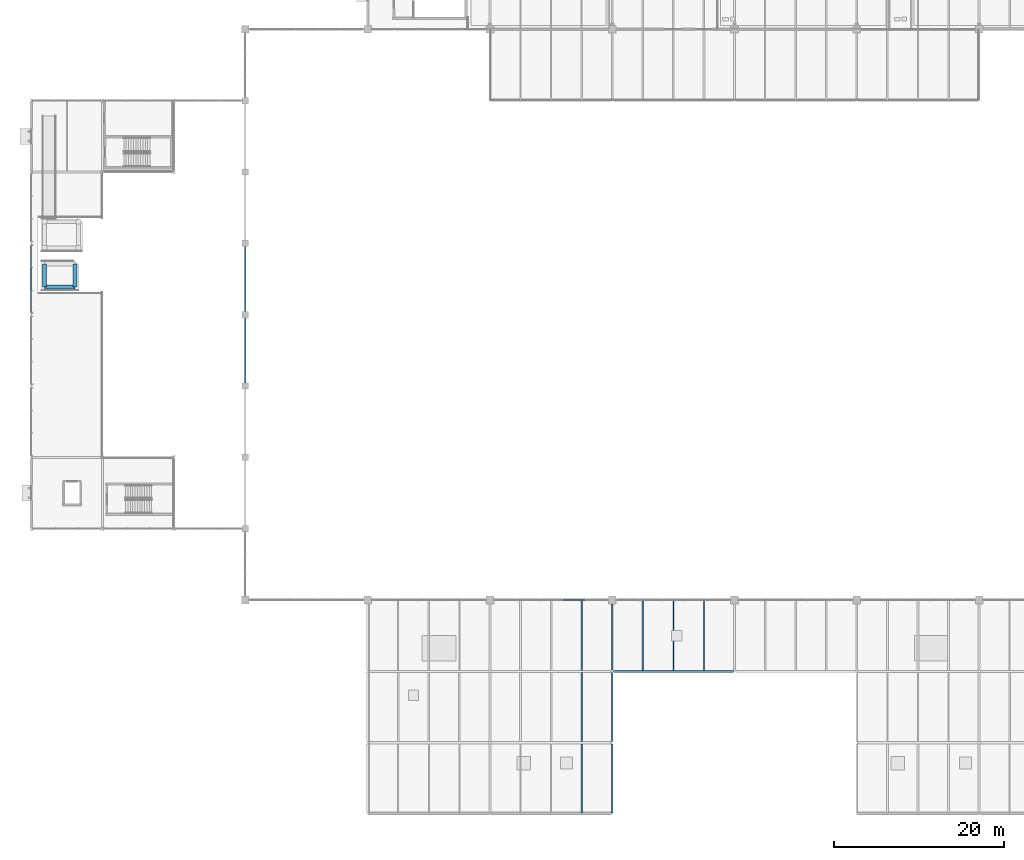
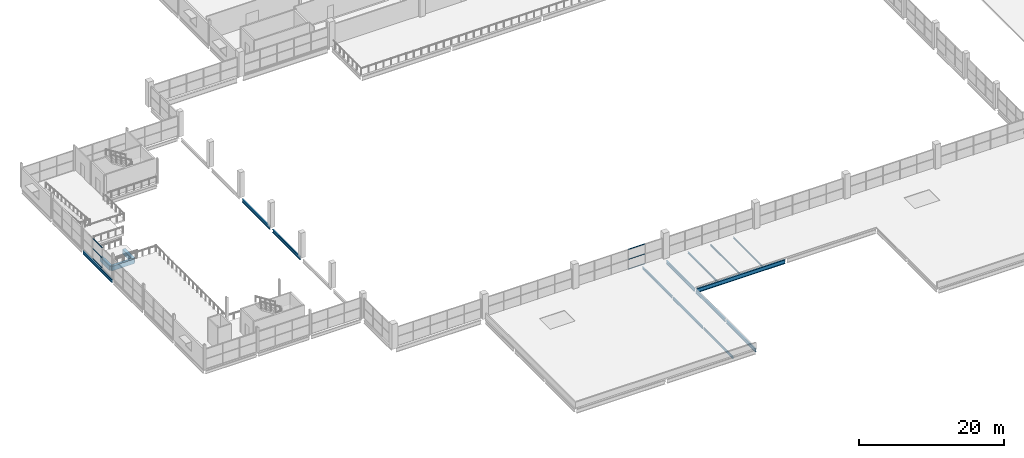
# One storey, part 22 of 93: 16 beams, 6 members, 2 elements without a shape of their own.
"""IFC4 building model written with IfcOpenShell, lengths in metres."""

import ifcopenshell
import ifcopenshell.guid

model = None  # the IFC model being written
_history = None  # IfcOwnerHistory: only IFC2X3 demands one
_inside = {}  # id of a spatial element -> (the spatial element, [elements in it])
_under = {}  # id of a project, library or spatial element -> (it, [spatial elements below it])
_declared = {}  # id of a project -> (the project, [libraries it declares])
_typed = {}  # id of a type object -> (the type object, [elements of that type])
_made_of = {}  # id of a material, layer set ... -> (it, [elements and type objects made of it])


def new_model(schema):
    """Start an empty IFC model of exactly this schema.

    Asked for "IFC4X3", IfcOpenShell would pick the latest addendum, in which some entities
    have other attributes; the version numbers below select the first issue.
    IFC2X3 requires an IfcOwnerHistory on every rooted entity: one is made here for all.
    """
    global model, _history
    if schema == "IFC4X3":
        model = ifcopenshell.file(schema_version=(4, 3, 0, 0))
    else:
        model = ifcopenshell.file(schema=schema)
    _inside.clear()
    _under.clear()
    _declared.clear()
    _typed.clear()
    _made_of.clear()
    _history = None
    if model.schema == "IFC2X3":
        org = make("IfcOrganization", Name="unknown")
        user = make(
            "IfcPersonAndOrganization",
            ThePerson=make("IfcPerson", FamilyName="unknown"),
            TheOrganization=org,
        )
        app = make(
            "IfcApplication",
            ApplicationDeveloper=org,
            Version="unknown",
            ApplicationFullName="unknown",
            ApplicationIdentifier="unknown",
        )
        _history = make(
            "IfcOwnerHistory",
            OwningUser=user,
            OwningApplication=app,
            ChangeAction="ADDED",
            CreationDate=0,
        )
    return model


def make(cls, **values):
    """One entity of the class cls with the attributes given. An attribute that is None is left unset."""
    return model.create_entity(
        cls, **{name: value for name, value in values.items() if value is not None}
    )


def rooted(cls, **values):
    """An entity with a GlobalId (a new one), such as an element, a storey or a relation."""
    return make(cls, GlobalId=ifcopenshell.guid.new(), OwnerHistory=_history, **values)


def si_unit(unit_type, name, prefix=None):
    """IfcSIUnit, for example si_unit("LENGTHUNIT", "METRE", prefix="MILLI")."""
    return make("IfcSIUnit", UnitType=unit_type, Prefix=prefix, Name=name)


def assignment(units):
    """IfcUnitAssignment: the units of a project."""
    return None if units is None else make("IfcUnitAssignment", Units=units)


def point(xyz):
    """IfcCartesianPoint."""
    return None if xyz is None else make("IfcCartesianPoint", Coordinates=xyz)


def direction(xyz):
    """IfcDirection."""
    return None if xyz is None else make("IfcDirection", DirectionRatios=xyz)


def frame(location, z_axis=None, x_axis=None):
    """IfcAxis2Placement3D, a coordinate frame: its origin and axes. An axis left out is left unset."""
    return make(
        "IfcAxis2Placement3D",
        Location=point(location),
        Axis=direction(z_axis),
        RefDirection=direction(x_axis),
    )


def frame_2d(location, x_axis=None):
    """IfcAxis2Placement2D, a coordinate frame in the plane: its origin and x axis."""
    return make(
        "IfcAxis2Placement2D", Location=point(location), RefDirection=direction(x_axis)
    )


def origin():
    """The frame at (0, 0, 0) with its axes left unset."""
    return frame((0.0, 0.0, 0.0))


def origin_2d():
    """The frame at (0, 0) in the plane with its x axis left unset."""
    return frame_2d((0.0, 0.0))


def place(relative_to, where):
    """IfcLocalPlacement: puts the frame where relative to a parent placement (None: the world)."""
    return make(
        "IfcLocalPlacement", PlacementRelTo=relative_to, RelativePlacement=where
    )


def context(
    kind, dimensions, precision=None, world=None, true_north=None, identifier=None
):
    """IfcGeometricRepresentationContext, for example the 3D "Model" context."""
    return make(
        "IfcGeometricRepresentationContext",
        ContextIdentifier=identifier,
        ContextType=kind,
        CoordinateSpaceDimension=dimensions,
        Precision=precision,
        WorldCoordinateSystem=world,
        TrueNorth=true_north,
    )


def subcontext(parent, identifier, kind, view, scale=None):
    """IfcGeometricRepresentationSubContext, for example "Body" below "Model"."""
    return make(
        "IfcGeometricRepresentationSubContext",
        ContextIdentifier=identifier,
        ContextType=kind,
        ParentContext=parent,
        TargetScale=scale,
        TargetView=view,
    )


def project(units=None, contexts=None):
    """IfcProject with its units and contexts."""
    return rooted(
        "IfcProject",
        Name="project",
        RepresentationContexts=contexts,
        UnitsInContext=assignment(units),
    )


def spatial(cls, under=None, at=None, **own):
    """A site, building, storey or space (cls), placed at a placement, below another one or the project."""
    s = rooted(cls, ObjectPlacement=at, **own)
    if under is not None:
        _under.setdefault(under.id(), (under, []))[1].append(s)
    return s


def profile(cls, at=None, kind="AREA", **sizes):
    """A parametric profile (cls). Its sizes go by their IFC names, for example OverallWidth=200.0."""
    return make(cls, ProfileType=kind, Position=at, **sizes)


def rectangle(**sizes):
    """IfcRectangleProfileDef."""
    return profile("IfcRectangleProfileDef", **sizes)


def hollow_rectangle(**sizes):
    """IfcRectangleHollowProfileDef."""
    return profile("IfcRectangleHollowProfileDef", **sizes)


def i_section(**sizes):
    """IfcIShapeProfileDef."""
    return profile("IfcIShapeProfileDef", **sizes)


def extrude(swept, where, along, depth):
    """IfcExtrudedAreaSolid: the profile swept, set in the frame where, extruded along a direction by depth."""
    return make(
        "IfcExtrudedAreaSolid",
        SweptArea=swept,
        Position=where,
        ExtrudedDirection=direction(along),
        Depth=depth,
    )


def shape(context_of_items, identifier, shape_type, items):
    """IfcShapeRepresentation: the items that make up one representation, for example the "Body"."""
    return make(
        "IfcShapeRepresentation",
        ContextOfItems=context_of_items,
        RepresentationIdentifier=identifier,
        RepresentationType=shape_type,
        Items=items,
    )


def material(Name=None, Category=None):
    """IfcMaterial."""
    return make("IfcMaterial", Name=Name, Category=Category)


def material_profile(
    of_material, cross_section, Name=None, Category=None, Priority=None
):
    """IfcMaterialProfile: a cross section and its material."""
    return make(
        "IfcMaterialProfile",
        Name=Name,
        Material=of_material,
        Profile=cross_section,
        Priority=Priority,
        Category=Category,
    )


def profile_set(profiles, Name=None, composite=None):
    """IfcMaterialProfileSet."""
    return make(
        "IfcMaterialProfileSet",
        Name=Name,
        MaterialProfiles=profiles,
        CompositeProfile=composite,
    )


def made_of(thing, what):
    """Note that an element or type object is made of a material, layer set ...; save() writes the relation."""
    if what is not None:
        _made_of.setdefault(what.id(), (what, []))[1].append(thing)
    return thing


def type_object(cls, material=None, **own):
    """A type object (cls), such as IfcWallType, which elements share."""
    return made_of(rooted(cls, **own), material)


def element(
    cls,
    number,
    at=None,
    inside=None,
    cuts=None,
    type_object=None,
    material=None,
    context=None,
    identifier="Body",
    shape_type=None,
    held_by="IfcProductDefinitionShape",
    body=None,
    shapes=None,
    **own,
):
    """One element of the class cls, such as IfcWall. Its Tag is "e" and its number.

    at: its placement. inside: the storey or other place that contains it. cuts: it is an
    opening in that element (IfcRelVoidsElement). A single representation is given by context,
    identifier, shape_type and body (its items); several are given by shapes. held_by: the class
    of the entity that holds the representations. save() writes the other relations.
    """
    e = rooted(cls, Tag="e%d" % number, ObjectPlacement=at, **own)
    if body is not None:
        shapes = [shape(context, identifier, shape_type, body)]
    if shapes is not None:
        e.Representation = make(held_by, Representations=shapes)
    if inside is not None:
        _inside.setdefault(inside.id(), (inside, []))[1].append(e)
    if cuts is not None:
        rooted(
            "IfcRelVoidsElement", RelatingBuildingElement=cuts, RelatedOpeningElement=e
        )
    if type_object is not None:
        _typed.setdefault(type_object.id(), (type_object, []))[1].append(e)
    return made_of(e, material)


def aggregate(whole, parts):
    """IfcRelAggregates: a whole, such as a stair, and the parts it consists of."""
    return rooted("IfcRelAggregates", RelatingObject=whole, RelatedObjects=parts)


def save(model, path):
    """Write the relations noted so far, then the file.

    IfcRelAggregates (storeys below a building ...), IfcRelContainedInSpatialStructure (elements
    in a storey), IfcRelDefinesByType, IfcRelAssociatesMaterial and IfcRelDeclares: one each for
    every whole, place, type object, material and project.
    """
    for whole, parts in _under.values():
        aggregate(whole, parts)
    for where, things in _inside.values():
        rooted(
            "IfcRelContainedInSpatialStructure",
            RelatedElements=things,
            RelatingStructure=where,
        )
    for kind, things in _typed.values():
        rooted("IfcRelDefinesByType", RelatedObjects=things, RelatingType=kind)
    for what, things in _made_of.values():
        rooted("IfcRelAssociatesMaterial", RelatedObjects=things, RelatingMaterial=what)
    for by, libraries in _declared.values():
        rooted("IfcRelDeclares", RelatingContext=by, RelatedDefinitions=libraries)
    model.write(path)


model = new_model("IFC4")

# Units and contexts
model_context = context("Model", 3, precision=1e-05, world=origin(), true_north=direction((0.0, 1.0)))
body_context = subcontext(model_context, "Body", "Model", "MODEL_VIEW")
ifc_project = project(units=[si_unit("LENGTHUNIT", "METRE"), si_unit("AREAUNIT", "SQUARE_METRE"), si_unit("VOLUMEUNIT", "CUBIC_METRE"), si_unit("PLANEANGLEUNIT", "RADIAN"), si_unit("MASSUNIT", "GRAM", prefix="KILO"), si_unit("THERMODYNAMICTEMPERATUREUNIT", "KELVIN")], contexts=[model_context])

# Site, building, storey
site_placement = place(None, origin())
site = spatial("IfcSite", under=ifc_project, at=site_placement, CompositionType="ELEMENT")
building_placement = place(site_placement, origin())
building = spatial("IfcBuilding", under=site, at=building_placement, Name="Nduvali Passage Aquatics Centre", CompositionType="ELEMENT")
storey_placement = place(building_placement, frame((0.0, 0.0, 9.0)))
storey = spatial("IfcBuildingStorey", under=building, at=storey_placement, Name="L02", CompositionType="ELEMENT", Elevation=9.0)

# Curtain wall, members
ifc_material_1 = material(Name="Aluminium EN AW-6063 T6", Category="aluminium")
curtain_wall_type_1 = type_object("IfcCurtainWallType", Name="ENV-CW-CLER", PredefinedType="NOTDEFINED", material=ifc_material_1)
curtain_wall_1_placement = place(storey_placement, origin())
curtain_wall_1 = element("IfcCurtainWall", 1, at=curtain_wall_1_placement, inside=storey, type_object=curtain_wall_type_1, Name="L02 South Pool Hall Eave Clerestory 048", PredefinedType="NOTDEFINED")
ifc_material_profile_1 = material_profile(ifc_material_1, hollow_rectangle(XDim=0.14990234375, YDim=0.06005859375, WallThickness=0.00390625, at=origin_2d()), Name="ALU TRANSOM 150x60x4")
ifc_profile_set_1 = profile_set([ifc_material_profile_1], Name="Aluminium EN AW-6063 T6")
member_type = type_object("IfcMemberType", Name="ENV-MEM-TRN80", PredefinedType="USERDEFINED", material=ifc_profile_set_1)
member_1_placement = place(storey_placement, frame((62.580078125, 25.199951171875, 0.030029296875), z_axis=(1.0, 0.0, 0.0), x_axis=(0.0, 1.0, 0.0)))
member_1 = element("IfcMember", 2, at=member_1_placement, type_object=member_type, Name="South Pool Hall Eave Clerestory Transom B4-R0", ObjectType="TRANSOM", PredefinedType="USERDEFINED", context=body_context, shape_type="SweptSolid", body=[
    extrude(hollow_rectangle(XDim=0.14990234375, YDim=0.06005859375, WallThickness=0.00390625, at=origin_2d()), origin(), (0.0, 0.0, 1.0), 2.639892578125),
])
member_2_placement = place(storey_placement, frame((62.580078125, 25.199951171875, 1.697021484375), z_axis=(1.0, 0.0, 0.0), x_axis=(0.0, 1.0, 0.0)))
member_2 = element("IfcMember", 3, at=member_2_placement, type_object=member_type, Name="South Pool Hall Eave Clerestory Transom B4-R1", ObjectType="TRANSOM", PredefinedType="USERDEFINED", context=body_context, shape_type="SweptSolid", body=[
    extrude(hollow_rectangle(XDim=0.14990234375, YDim=0.06005859375, WallThickness=0.00390625, at=origin_2d()), origin(), (0.0, 0.0, 1.0), 2.639892578125),
])
member_3_placement = place(storey_placement, frame((62.580078125, 25.199951171875, 3.364013671875), z_axis=(1.0, 0.0, 0.0), x_axis=(0.0, 1.0, 0.0)))
member_3 = element("IfcMember", 4, at=member_3_placement, type_object=member_type, Name="South Pool Hall Eave Clerestory Transom B4-R2", ObjectType="TRANSOM", PredefinedType="USERDEFINED", context=body_context, shape_type="SweptSolid", body=[
    extrude(hollow_rectangle(XDim=0.14990234375, YDim=0.06005859375, WallThickness=0.00390625, at=origin_2d()), origin(), (0.0, 0.0, 1.0), 2.639892578125),
])
aggregate(curtain_wall_1, [member_1, member_2, member_3])

curtain_wall_type_2 = type_object("IfcCurtainWallType", Name="ENV-CW-DIVE", PredefinedType="NOTDEFINED", material=ifc_material_1)
curtain_wall_2_placement = place(storey_placement, origin())
curtain_wall_2 = element("IfcCurtainWall", 5, at=curtain_wall_2_placement, inside=storey, type_object=curtain_wall_type_2, Name="L02 West Diving High Platform CW 139", PredefinedType="NOTDEFINED")
member_4_placement = place(storey_placement, frame((0.0, 61.69677734375, 0.030029296875), z_axis=(0.0, 1.0, 0.0), x_axis=(-1.0, 0.0, 0.0)))
member_4 = element("IfcMember", 6, at=member_4_placement, type_object=member_type, Name="West Diving High Platform CW Transom B2-R0", ObjectType="TRANSOM", PredefinedType="USERDEFINED", context=body_context, shape_type="SweptSolid", body=[
    extrude(hollow_rectangle(XDim=0.14990234375, YDim=0.06005859375, WallThickness=0.00390625, at=origin_2d()), origin(), (0.0, 0.0, 1.0), 2.6064453125),
])
member_5_placement = place(storey_placement, frame((0.0, 61.69677734375, 1.703125), z_axis=(0.0, 1.0, 0.0), x_axis=(-1.0, 0.0, 0.0)))
member_5 = element("IfcMember", 7, at=member_5_placement, type_object=member_type, Name="West Diving High Platform CW Transom B2-R1", ObjectType="TRANSOM", PredefinedType="USERDEFINED", context=body_context, shape_type="SweptSolid", body=[
    extrude(hollow_rectangle(XDim=0.14990234375, YDim=0.06005859375, WallThickness=0.00390625, at=origin_2d()), origin(), (0.0, 0.0, 1.0), 2.6064453125),
])
member_6_placement = place(storey_placement, frame((0.0, 61.69677734375, 3.37646484375), z_axis=(0.0, 1.0, 0.0), x_axis=(-1.0, 0.0, 0.0)))
member_6 = element("IfcMember", 8, at=member_6_placement, type_object=member_type, Name="West Diving High Platform CW Transom B2-R2", ObjectType="TRANSOM", PredefinedType="USERDEFINED", context=body_context, shape_type="SweptSolid", body=[
    extrude(hollow_rectangle(XDim=0.14990234375, YDim=0.06005859375, WallThickness=0.00390625, at=origin_2d()), origin(), (0.0, 0.0, 1.0), 2.6064453125),
])
aggregate(curtain_wall_2, [member_4, member_5, member_6])

# Beams
ifc_material_2 = material(Name="Concrete C40/50", Category="concrete")
ifc_material_profile_2 = material_profile(ifc_material_2, rectangle(XDim=0.449951171875, YDim=0.75, at=origin_2d()), Name="RC 450x750")
ifc_profile_set_2 = profile_set([ifc_material_profile_2], Name="Concrete C40/50")
beam_type_1 = type_object("IfcBeamType", Name="STR-BM-RC4575", PredefinedType="BEAM", material=ifc_profile_set_2)
beam_1_placement = place(storey_placement, frame((1.550048828125, 62.050048828125, -0.7548828125), z_axis=(1.0, 0.0, 0.0), x_axis=(0.0, 1.0, 0.0)))
element("IfcBeam", 9, at=beam_1_placement, inside=storey, type_object=beam_type_1, Name="L02 Diving Platform 7P5M South Beam B3-1631", PredefinedType="BEAM", context=body_context, shape_type="SweptSolid", body=[
    extrude(rectangle(XDim=0.449951171875, YDim=0.75, at=origin_2d()), origin(), (0.0, 0.0, 1.0), 3.599853515625),
])
for number, where, z_axis, x_axis, name in (
    (10, (1.550048828125, 62.050048828125, -0.7548828125), (0.0, 1.0, 0.0), (-1.0, 0.0, 0.0), "L02 Diving Platform 7P5M West Beam B3-1633"),
    (11, (5.14990234375, 62.050048828125, -0.7548828125), (0.0, 1.0, 0.0), (-1.0, 0.0, 0.0), "L02 Diving Platform 7P5M East Beam B3-1634"),
):
    element("IfcBeam", number, at=place(storey_placement, frame(where, z_axis=z_axis, x_axis=x_axis)), inside=storey, type_object=beam_type_1, Name=name, PredefinedType="BEAM", context=body_context, shape_type="SweptSolid", body=[
        extrude(rectangle(XDim=0.449951171875, YDim=0.75, at=origin_2d()), origin(), (0.0, 0.0, 1.0), 2.699951171875),
    ])
ifc_material_3 = material(Name="Steel S355", Category="steel")
ifc_material_profile_3 = material_profile(ifc_material_3, i_section(OverallWidth=0.210693359375, OverallDepth=0.53955078125, WebThickness=0.01171875, FlangeThickness=0.018798828125, FilletRadius=0.0126953125, at=origin_2d()), Name="UKB 533x210x109")
ifc_profile_set_3 = profile_set([ifc_material_profile_3], Name="Steel S355")
beam_type_2 = type_object("IfcBeamType", Name="STR-BM-UKB533", PredefinedType="BEAM", material=ifc_profile_set_3)
beam_2_placement = place(storey_placement, frame((68.39990234375, 0.14990234375, -0.493896484375), z_axis=(0.0, 1.0, 0.0), x_axis=(-1.0, 0.0, 0.0)))
element("IfcBeam", 12, at=beam_2_placement, inside=storey, type_object=beam_type_2, Name="L02 Primary Y-Girder B6-0981", PredefinedType="BEAM", context=body_context, shape_type="SweptSolid", body=[
    extrude(i_section(OverallWidth=0.210693359375, OverallDepth=0.53955078125, WebThickness=0.01171875, FlangeThickness=0.018798828125, FilletRadius=0.0126953125, at=origin_2d()), origin(), (0.0, 0.0, 1.0), 8.110107421875),
])
beam_3_placement = place(storey_placement, frame((68.39990234375, 8.5400390625, -0.493896484375), z_axis=(0.0, 1.0, 0.0), x_axis=(-1.0, 0.0, 0.0)))
element("IfcBeam", 13, at=beam_3_placement, inside=storey, type_object=beam_type_2, Name="L02 Primary Y-Girder B6-0982", PredefinedType="BEAM", context=body_context, shape_type="SweptSolid", body=[
    extrude(i_section(OverallWidth=0.210693359375, OverallDepth=0.53955078125, WebThickness=0.01171875, FlangeThickness=0.018798828125, FilletRadius=0.0126953125, at=origin_2d()), origin(), (0.0, 0.0, 1.0), 8.10986328125),
])
beam_4_placement = place(storey_placement, frame((68.39990234375, 16.949951171875, -0.493896484375), z_axis=(0.0, 1.0, 0.0), x_axis=(-1.0, 0.0, 0.0)))
element("IfcBeam", 14, at=beam_4_placement, inside=storey, type_object=beam_type_2, Name="L02 Primary Y-Girder B6-0983", PredefinedType="BEAM", context=body_context, shape_type="SweptSolid", body=[
    extrude(i_section(OverallWidth=0.210693359375, OverallDepth=0.53955078125, WebThickness=0.01171875, FlangeThickness=0.018798828125, FilletRadius=0.0126953125, at=origin_2d()), origin(), (0.0, 0.0, 1.0), 7.800048828125),
])
ifc_material_profile_4 = material_profile(ifc_material_3, i_section(OverallWidth=0.210693359375, OverallDepth=0.53955078125, WebThickness=0.01171875, FlangeThickness=0.018798828125, FilletRadius=0.0126953125, at=origin_2d()), Name="UKB 533x210x109")
ifc_profile_set_4 = profile_set([ifc_material_profile_4], Name="Steel S355")
beam_type_3 = type_object("IfcBeamType", Name="STR-BM-UKB533-EXT", PredefinedType="BEAM", material=ifc_profile_set_4)
beam_5_placement = place(storey_placement, frame((0.0, 59.0, -0.53369140625), z_axis=(0.0, 1.0, 0.0), x_axis=(-1.0, 0.0, 0.0)))
element("IfcBeam", 15, at=beam_5_placement, inside=storey, type_object=beam_type_3, Name="L02 Primary Y-Girder B6E-0953", PredefinedType="BEAM", context=body_context, shape_type="SweptSolid", body=[
    extrude(i_section(OverallWidth=0.210693359375, OverallDepth=0.53955078125, WebThickness=0.01171875, FlangeThickness=0.018798828125, FilletRadius=0.0126953125, at=origin_2d()), origin(), (0.0, 0.0, 1.0), 8.0),
])
beam_6_placement = place(storey_placement, frame((25.199951171875, 50.77490234375, -0.53369140625), z_axis=(0.0, 1.0, 0.0), x_axis=(-1.0, 0.0, 0.0)))
element("IfcBeam", 16, at=beam_6_placement, inside=storey, type_object=beam_type_3, Name="L02 Primary Y-Girder B6E-0963", PredefinedType="BEAM", context=body_context, shape_type="SweptSolid", body=[
    extrude(i_section(OverallWidth=0.210693359375, OverallDepth=0.53955078125, WebThickness=0.01171875, FlangeThickness=0.018798828125, FilletRadius=0.0126953125, at=origin_2d()), origin(), (0.0, 0.0, 1.0), 7.650146484375),
])
beam_7_placement = place(storey_placement, frame((25.199951171875, 59.175048828125, -0.53369140625), z_axis=(0.0, 1.0, 0.0), x_axis=(-1.0, 0.0, 0.0)))
element("IfcBeam", 17, at=beam_7_placement, inside=storey, type_object=beam_type_3, Name="L02 Primary Y-Girder B6E-0964", PredefinedType="BEAM", context=body_context, shape_type="SweptSolid", body=[
    extrude(i_section(OverallWidth=0.210693359375, OverallDepth=0.53955078125, WebThickness=0.01171875, FlangeThickness=0.018798828125, FilletRadius=0.0126953125, at=origin_2d()), origin(), (0.0, 0.0, 1.0), 7.64990234375),
])
ifc_material_profile_5 = material_profile(ifc_material_3, i_section(OverallWidth=0.253662109375, OverallDepth=0.68359375, WebThickness=0.012451171875, FlangeThickness=0.01904296875, FilletRadius=0.01513671875, at=origin_2d()), Name="UKB 686x254x140")
ifc_profile_set_5 = profile_set([ifc_material_profile_5], Name="Steel S355")
beam_type_4 = type_object("IfcBeamType", Name="STR-BM-UKB686", PredefinedType="BEAM", material=ifc_profile_set_5)
beam_8_placement = place(storey_placement, frame((68.550048828125, 16.800048828125, -0.565673828125), z_axis=(1.0, 0.0, 0.0), x_axis=(0.0, 1.0, 0.0)))
element("IfcBeam", 18, at=beam_8_placement, inside=storey, type_object=beam_type_4, Name="L02 Primary X-Girder B4-0870", PredefinedType="BEAM", context=body_context, shape_type="SweptSolid", body=[
    extrude(i_section(OverallWidth=0.253662109375, OverallDepth=0.68359375, WebThickness=0.012451171875, FlangeThickness=0.01904296875, FilletRadius=0.01513671875, at=origin_2d()), origin(), (0.0, 0.0, 1.0), 14.099853515625),
])
ifc_material_profile_6 = material_profile(ifc_material_3, i_section(OverallWidth=0.135009765625, OverallDepth=0.27001953125, WebThickness=0.006591796875, FlangeThickness=0.01025390625, FilletRadius=0.014892578125, at=origin_2d()), Name="IPE 270")
ifc_profile_set_6 = profile_set([ifc_material_profile_6], Name="Steel S355")
beam_type_5 = type_object("IfcBeamType", Name="STR-JST-IPE270", PredefinedType="JOIST", material=ifc_profile_set_6)
for number, where, z_axis, x_axis, name in (
    (19, (72.0, 16.9267578125, -0.35888671875), (0.0, 1.0, 0.0), (-1.0, 0.0, 0.0), "L02 Secondary Joist J8-1083"),
    (20, (75.60009765625, 16.9267578125, -0.35888671875), (0.0, 1.0, 0.0), (-1.0, 0.0, 0.0), "L02 Secondary Joist J8-1084"),
    (21, (79.199951171875, 16.9267578125, -0.35888671875), (0.0, 1.0, 0.0), (-1.0, 0.0, 0.0), "L02 Secondary Joist J8-1085"),
):
    element("IfcBeam", number, at=place(storey_placement, frame(where, z_axis=z_axis, x_axis=x_axis)), inside=storey, type_object=beam_type_5, Name=name, PredefinedType="JOIST", context=body_context, shape_type="SweptSolid", body=[
        extrude(i_section(OverallWidth=0.135009765625, OverallDepth=0.27001953125, WebThickness=0.006591796875, FlangeThickness=0.01025390625, FilletRadius=0.014892578125, at=origin_2d()), origin(), (0.0, 0.0, 1.0), 8.146484375),
    ])
ifc_material_profile_7 = material_profile(ifc_material_3, i_section(OverallWidth=0.18994140625, OverallDepth=0.449951171875, WebThickness=0.009521484375, FlangeThickness=0.0146484375, FilletRadius=0.02099609375, at=origin_2d()), Name="IPE 450")
ifc_profile_set_7 = profile_set([ifc_material_profile_7], Name="Steel S355")
beam_type_6 = type_object("IfcBeamType", Name="STR-JST-IPE450", PredefinedType="JOIST", material=ifc_profile_set_7)
beam_9_placement = place(storey_placement, frame((64.800048828125, 8.52685546875, -0.448974609375), z_axis=(0.0, 1.0, 0.0), x_axis=(-1.0, 0.0, 0.0)))
element("IfcBeam", 22, at=beam_9_placement, inside=storey, type_object=beam_type_6, Name="L02 Secondary Joist J5B-1070", PredefinedType="JOIST", context=body_context, shape_type="SweptSolid", body=[
    extrude(i_section(OverallWidth=0.18994140625, OverallDepth=0.449951171875, WebThickness=0.009521484375, FlangeThickness=0.0146484375, FilletRadius=0.02099609375, at=origin_2d()), origin(), (0.0, 0.0, 1.0), 8.146240234375),
])
ifc_material_profile_8 = material_profile(ifc_material_3, i_section(OverallWidth=0.1787109375, OverallDepth=0.409423828125, WebThickness=0.0087890625, FlangeThickness=0.014404296875, FilletRadius=0.01025390625, at=origin_2d()), Name="UKB 406x178x67")
ifc_profile_set_8 = profile_set([ifc_material_profile_8], Name="Steel S355")
beam_type_7 = type_object("IfcBeamType", Name="STR-JST-UKB406", PredefinedType="JOIST", material=ifc_profile_set_8)
beam_10_placement = place(storey_placement, frame((64.800048828125, 16.9267578125, -0.4287109375), z_axis=(0.0, 1.0, 0.0), x_axis=(-1.0, 0.0, 0.0)))
element("IfcBeam", 23, at=beam_10_placement, inside=storey, type_object=beam_type_7, Name="L02 Secondary Joist J1-1082", PredefinedType="JOIST", context=body_context, shape_type="SweptSolid", body=[
    extrude(i_section(OverallWidth=0.1787109375, OverallDepth=0.409423828125, WebThickness=0.0087890625, FlangeThickness=0.014404296875, FilletRadius=0.01025390625, at=origin_2d()), origin(), (0.0, 0.0, 1.0), 8.146484375),
])
ifc_material_profile_9 = material_profile(ifc_material_3, i_section(OverallWidth=0.14208984375, OverallDepth=0.4033203125, WebThickness=0.0068359375, FlangeThickness=0.01123046875, FilletRadius=0.01025390625, at=origin_2d()), Name="UKB 406x140x46")
ifc_profile_set_9 = profile_set([ifc_material_profile_9], Name="Steel S355")
beam_type_8 = type_object("IfcBeamType", Name="STR-JST-UKB406L", PredefinedType="JOIST", material=ifc_profile_set_9)
beam_11_placement = place(storey_placement, frame((64.800048828125, 0.126708984375, -0.425537109375), z_axis=(0.0, 1.0, 0.0), x_axis=(-1.0, 0.0, 0.0)))
element("IfcBeam", 24, at=beam_11_placement, inside=storey, type_object=beam_type_8, Name="L02 Secondary Joist J1B-1058", PredefinedType="JOIST", context=body_context, shape_type="SweptSolid", body=[
    extrude(i_section(OverallWidth=0.14208984375, OverallDepth=0.4033203125, WebThickness=0.0068359375, FlangeThickness=0.01123046875, FilletRadius=0.01025390625, at=origin_2d()), origin(), (0.0, 0.0, 1.0), 8.146484375),
])

save(model, "model.ifc")
